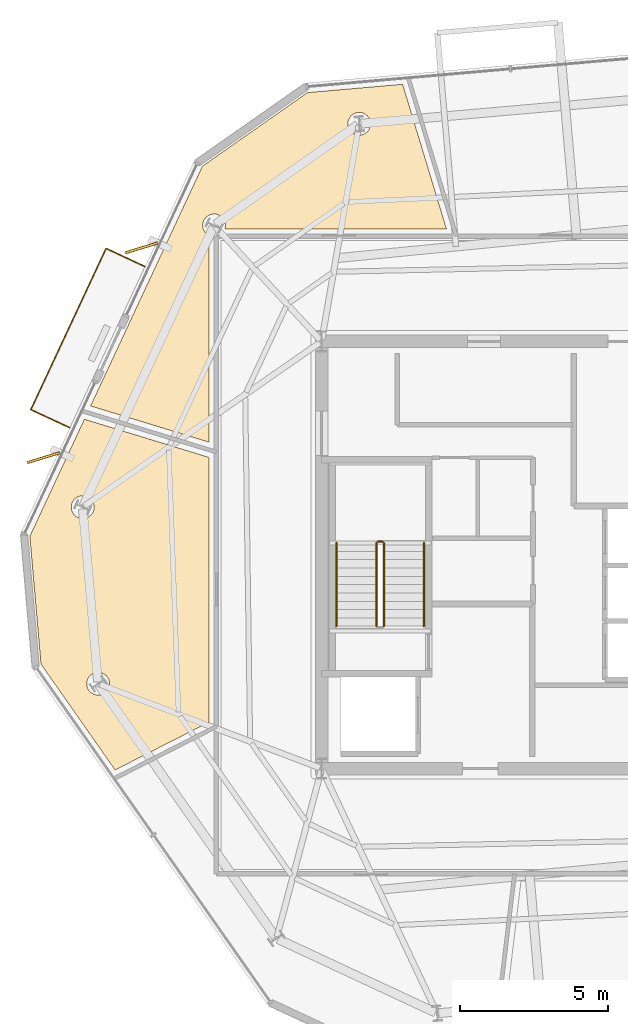
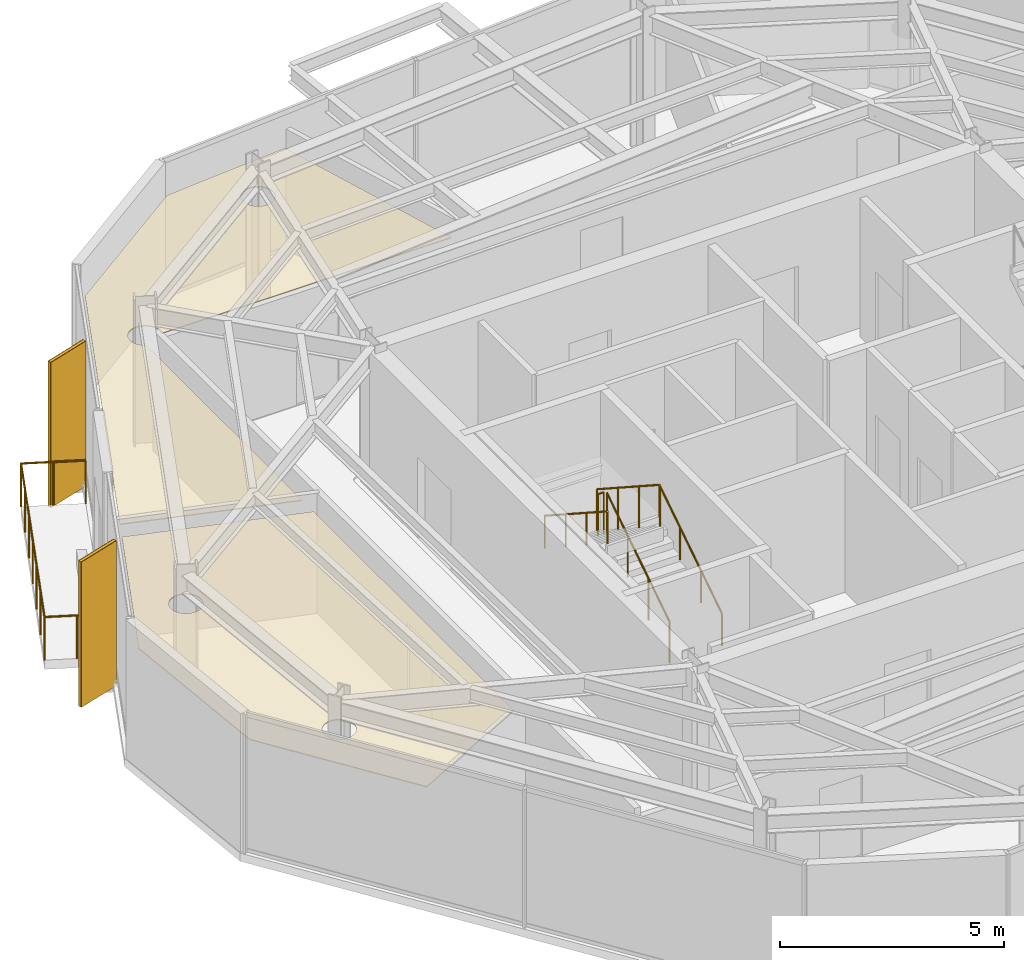
# One storey, part 9 of 11: 6 railings, 4 coverings, 2 shading devices.
"""IFC4 building model written with IfcOpenShell, lengths in metres."""

from ifc_helpers import new_model, si_unit, direction, frame, origin, origin_2d, place, context, subcontext, project, spatial, polyline, rectangle, circle, outline, extrude, material, layer, layer_set, type_object, element, save


model = new_model("IFC4")

# Units and contexts
model_context = context("Model", 3, precision=1e-05, world=origin(), true_north=direction((0.0, 1.0)))
body_context = subcontext(model_context, "Body", "Model", "MODEL_VIEW")
ifc_project = project(units=[si_unit("LENGTHUNIT", "METRE"), si_unit("AREAUNIT", "SQUARE_METRE"), si_unit("VOLUMEUNIT", "CUBIC_METRE"), si_unit("PLANEANGLEUNIT", "RADIAN"), si_unit("MASSUNIT", "GRAM", prefix="KILO")], contexts=[model_context])

# Site, building, storey
site_placement = place(None, origin())
site = spatial("IfcSite", under=ifc_project, at=site_placement, CompositionType="ELEMENT")
building_placement = place(site_placement, origin())
building = spatial("IfcBuilding", under=site, at=building_placement, Name="Kranzbogen Civic Tower", CompositionType="ELEMENT")
storey_placement = place(building_placement, frame((0.0, 0.0, 286.199951171875)))
storey = spatial("IfcBuildingStorey", under=building, at=storey_placement, Name="L69", CompositionType="ELEMENT", Elevation=286.199951171875)

# Coverings
ifc_material_1 = material(Name="Pale Anodised Aluminium", Category="aluminium")
ifc_layer_1 = layer(ifc_material_1, 0.02490234375, Name="Pale Anodised Aluminium")
ifc_layer_set_1 = layer_set([ifc_layer_1], Name="Pale Anodised Aluminium")
covering_type_1 = type_object("IfcCoveringType", Name="Anodised Aluminium Vertical Fin Cladding 25 mm", PredefinedType="CLADDING", material=ifc_layer_set_1)
for number, where, z_axis, x_axis, name in (
    (1, (11.1220703125, 35.35009765625, -0.139892578125), (0.0, 0.0, 1.0), (-0.955885343123, -0.293740039496, 0.0), "L69 vertical fin pale-metal cladding F2-1"),
    (2, (7.825927734375, 28.280029296875, -0.139892578125), (0.0, 0.0, 1.0), (-0.955885343123, -0.293740039496, 0.0), "L69 vertical fin pale-metal cladding F2-4"),
):
    element("IfcCovering", number, at=place(storey_placement, frame(where, z_axis=z_axis, x_axis=x_axis)), inside=storey, type_object=covering_type_1, Name=name, PredefinedType="CLADDING", context=body_context, shape_type="SweptSolid", body=[
        extrude(rectangle(XDim=1.14990234375, YDim=0.094970703125, at=origin_2d()), origin(), (0.0, 0.0, 1.0), 3.9599609375),
    ])

# Railings
ifc_material_2 = material(Name="Anodised Bronze Aluminium", Category="aluminium")
railing_type_1 = type_object("IfcRailingType", Name="Cantilevered Balcony Glass and Bronze Balustrade 1200", PredefinedType="BALUSTRADE", material=ifc_material_2)
railing_1_placement = place(storey_placement, frame((11.24609375, 34.72412109375, 0.0)))
element("IfcRailing", 3, at=railing_1_placement, inside=storey, type_object=railing_type_1, Name="L69 exterior terrace balustrade L69-TB2", PredefinedType="BALUSTRADE", context=body_context, shape_type="SweptSolid", body=[
    extrude(circle(Radius=0.02392578125, at=origin_2d()), frame((0.0, 0.0, 1.17578125), z_axis=(-0.906316436236, 0.422599712977, 0.0), x_axis=(-0.422599712977, -0.906316436236, 0.0)), (0.0, 0.0, 1.0), 1.449951171875),
    extrude(circle(Radius=0.02392578125, at=origin_2d()), frame((-1.314208984375, 0.61279296875, 1.17578125), z_axis=(-0.422633743245, -0.906300567732, 0.0), x_axis=(0.906300567732, -0.422633743245, 0.0)), (0.0, 0.0, 1.0), 6.000244140625),
    extrude(circle(Radius=0.02392578125, at=origin_2d()), frame((-3.85009765625, -4.8251953125, 1.17578125), z_axis=(0.906221851337, -0.422802502547, 0.0), x_axis=(0.422802502547, 0.906221851337, 0.0)), (0.0, 0.0, 1.0), 1.449951171875),
    extrude(circle(Radius=0.02099609375, at=origin_2d()), origin(), (0.0, 0.0, 1.0), 1.15185546875),
    extrude(circle(Radius=0.02099609375, at=origin_2d()), frame((-0.6572265625, 0.306396484375, 0.0)), (0.0, 0.0, 1.0), 1.15185546875),
    extrude(circle(Radius=0.02099609375, at=origin_2d()), frame((-1.314208984375, 0.61279296875, 0.0)), (0.0, 0.0, 1.0), 1.15185546875),
    extrude(circle(Radius=0.02099609375, at=origin_2d()), frame((-1.73681640625, -0.29345703125, 0.0)), (0.0, 0.0, 1.0), 1.15185546875),
    extrude(circle(Radius=0.02099609375, at=origin_2d()), frame((-2.159423828125, -1.199951171875, 0.0)), (0.0, 0.0, 1.0), 1.15185546875),
    extrude(circle(Radius=0.02099609375, at=origin_2d()), frame((-2.58203125, -2.106201171875, 0.0)), (0.0, 0.0, 1.0), 1.15185546875),
    extrude(circle(Radius=0.02099609375, at=origin_2d()), frame((-3.0048828125, -3.012451171875, 0.0)), (0.0, 0.0, 1.0), 1.15185546875),
    extrude(circle(Radius=0.02099609375, at=origin_2d()), frame((-3.427490234375, -3.9189453125, 0.0)), (0.0, 0.0, 1.0), 1.15185546875),
    extrude(circle(Radius=0.02099609375, at=origin_2d()), frame((-3.85009765625, -4.8251953125, 0.0)), (0.0, 0.0, 1.0), 1.15185546875),
    extrude(circle(Radius=0.02099609375, at=origin_2d()), frame((-3.193115234375, -5.1318359375, 0.0)), (0.0, 0.0, 1.0), 1.15185546875),
    extrude(circle(Radius=0.02099609375, at=origin_2d()), frame((-2.5361328125, -5.438232421875, 0.0)), (0.0, 0.0, 1.0), 1.15185546875),
])
ifc_material_3 = material(Name="Steel S355", Category="steel")
railing_type_2 = type_object("IfcRailingType", Name="Internal Stair and Void Steel Guardrail 1150", PredefinedType="GUARDRAIL", material=ifc_material_3)
railing_2_placement = place(storey_placement, frame((19.300048828125, 22.60009765625, 0.181884765625)))
element("IfcRailing", 4, at=railing_2_placement, inside=storey, type_object=railing_type_2, Name="L69 ST-T1 stair guard 1", PredefinedType="GUARDRAIL", context=body_context, shape_type="SweptSolid", body=[
    extrude(circle(Radius=0.02392578125, at=origin_2d()), frame((0.0, 0.0, 1.1259765625), z_axis=(0.0, 0.83868413941, 0.544618136222), x_axis=(-1.0, 0.0, 0.0)), (0.0, 0.0, 1.0), 3.33837890625),
    extrude(circle(Radius=0.02099609375, at=origin_2d()), origin(), (0.0, 0.0, 1.0), 1.101806640625),
    extrude(circle(Radius=0.02099609375, at=origin_2d()), frame((0.0, 0.933349609375, 0.60595703125)), (0.0, 0.0, 1.0), 1.101806640625),
    extrude(circle(Radius=0.02099609375, at=origin_2d()), frame((0.0, 1.866455078125, 1.212158203125)), (0.0, 0.0, 1.0), 1.101806640625),
    extrude(circle(Radius=0.02099609375, at=origin_2d()), frame((0.0, 2.7998046875, 1.818115234375)), (0.0, 0.0, 1.0), 1.101806640625),
])
railing_3_placement = place(storey_placement, frame((19.25, 25.449951171875, 2.0)))
element("IfcRailing", 5, at=railing_3_placement, inside=storey, type_object=railing_type_2, Name="L69 ST-T1 stair guard 2", PredefinedType="GUARDRAIL", context=body_context, shape_type="SweptSolid", body=[
    extrude(circle(Radius=0.02392578125, at=origin_2d()), frame((0.0, 0.0, 1.1259765625), z_axis=(-1.0, 0.0, 0.0), x_axis=(0.0, -1.0, 0.0)), (0.0, 0.0, 1.0), 0.14990234375),
    extrude(circle(Radius=0.02099609375, at=origin_2d()), origin(), (0.0, 0.0, 1.0), 1.101806640625),
    extrude(circle(Radius=0.02099609375, at=origin_2d()), frame((-0.14990234375, 0.0, 0.0)), (0.0, 0.0, 1.0), 1.101806640625),
])
railing_4_placement = place(storey_placement, frame((19.050048828125, 25.39990234375, 2.181884765625)))
element("IfcRailing", 6, at=railing_4_placement, inside=storey, type_object=railing_type_2, Name="L69 ST-T1 stair guard 3", PredefinedType="GUARDRAIL", context=body_context, shape_type="SweptSolid", body=[
    extrude(circle(Radius=0.02392578125, at=origin_2d()), frame((0.0, 0.0, 1.1259765625), z_axis=(0.0, -0.83868413941, 0.544618136222), x_axis=(1.0, 0.0, 0.0)), (0.0, 0.0, 1.0), 3.33837890625),
    extrude(circle(Radius=0.02099609375, at=origin_2d()), origin(), (0.0, 0.0, 1.0), 1.101806640625),
    extrude(circle(Radius=0.02099609375, at=origin_2d()), frame((0.0, -0.933349609375, 0.60595703125)), (0.0, 0.0, 1.0), 1.101806640625),
    extrude(circle(Radius=0.02099609375, at=origin_2d()), frame((0.0, -1.866455078125, 1.212158203125)), (0.0, 0.0, 1.0), 1.101806640625),
    extrude(circle(Radius=0.02099609375, at=origin_2d()), frame((0.0, -2.7998046875, 1.818115234375)), (0.0, 0.0, 1.0), 1.101806640625),
])

# Shading devices
shading_device_type = type_object("IfcShadingDeviceType", Name="Pale Anodised Aluminium Crown Fin 1150x75", PredefinedType="USERDEFINED", material=ifc_material_1)
for number, where, z_axis, x_axis, name in (
    (7, (11.1220703125, 35.35009765625, -0.139892578125), (0.0, 0.0, 1.0), (-0.955885343123, -0.293740039496, 0.0), "L69 vertical exterior shading fin F2-1"),
    (8, (7.825927734375, 28.280029296875, -0.139892578125), (0.0, 0.0, 1.0), (-0.955885343123, -0.293740039496, 0.0), "L69 vertical exterior shading fin F2-4"),
):
    element("IfcShadingDevice", number, at=place(storey_placement, frame(where, z_axis=z_axis, x_axis=x_axis)), inside=storey, type_object=shading_device_type, Name=name, ObjectType="FIN", PredefinedType="USERDEFINED", context=body_context, shape_type="SweptSolid", body=[
        extrude(rectangle(XDim=1.14990234375, YDim=0.074951171875, at=origin_2d()), origin(), (0.0, 0.0, 1.0), 3.9599609375),
    ])

# Coverings
ifc_material_4 = material(Name="Perforated Acoustic Gypsum Ceiling")
ifc_layer_2 = layer(ifc_material_4, 0.02490234375, Name="Perforated Acoustic Gypsum Ceiling")
ifc_layer_set_2 = layer_set([ifc_layer_2], Name="Perforated Acoustic Gypsum Ceiling")
covering_type_2 = type_object("IfcCoveringType", Name="Perforated Acoustic Mineral Ceiling Tile 25 mm", PredefinedType="CEILING", material=ifc_layer_set_2)
covering_1_placement = place(storey_placement, frame((0.0, 0.0, 2.900146484375)))
element("IfcCovering", 9, at=covering_1_placement, inside=storey, type_object=covering_type_2, Name="L69 Citizen Services Kiosk acoustic ceiling", PredefinedType="CEILING", context=body_context, shape_type="SweptSolid", body=[
    extrude(outline(polyline([(7.363037109375, 25.62890625), (9.202880859375, 29.574951171875), (13.405029296875, 28.2900390625), (13.405029296875, 19.365966796875), (10.238037109375, 17.751953125), (7.739990234375, 21.319091796875), (7.363037109375, 25.62890625)]), holes=[polyline([(10.02001953125, 20.513916015625), (10.00390625, 20.47998046875), (9.985107421875, 20.447998046875), (9.9619140625, 20.41796875), (9.93701171875, 20.389892578125), (9.908935546875, 20.364990234375), (9.87890625, 20.342041015625), (9.846923828125, 20.322998046875), (9.81298828125, 20.306884765625), (9.777099609375, 20.2939453125), (9.740966796875, 20.284912109375), (9.7041015625, 20.279052734375), (9.666015625, 20.278076171875), (9.6279296875, 20.279052734375), (9.591064453125, 20.284912109375), (9.554931640625, 20.2939453125), (9.51904296875, 20.306884765625), (9.485107421875, 20.322998046875), (9.452880859375, 20.342041015625), (9.423095703125, 20.364990234375), (9.39501953125, 20.389892578125), (9.3701171875, 20.41796875), (9.346923828125, 20.447998046875), (9.327880859375, 20.47998046875), (9.31201171875, 20.513916015625), (9.299072265625, 20.550048828125), (9.2900390625, 20.5859375), (9.283935546875, 20.623046875), (9.282958984375, 20.660888671875), (9.283935546875, 20.698974609375), (9.2900390625, 20.736083984375), (9.299072265625, 20.77197265625), (9.31201171875, 20.80810546875), (9.327880859375, 20.842041015625), (9.346923828125, 20.8740234375), (9.3701171875, 20.904052734375), (9.39501953125, 20.931884765625), (9.423095703125, 20.95703125), (9.452880859375, 20.97998046875), (9.485107421875, 20.9990234375), (9.51904296875, 21.014892578125), (9.554931640625, 21.028076171875), (9.591064453125, 21.037109375), (9.6279296875, 21.04296875), (9.666015625, 21.0439453125), (9.7041015625, 21.04296875), (9.740966796875, 21.037109375), (9.777099609375, 21.028076171875), (9.81298828125, 21.014892578125), (9.846923828125, 20.9990234375), (9.87890625, 20.97998046875), (9.908935546875, 20.95703125), (9.93701171875, 20.931884765625), (9.9619140625, 20.904052734375), (9.985107421875, 20.8740234375), (10.00390625, 20.842041015625), (10.02001953125, 20.80810546875), (10.032958984375, 20.77197265625), (10.0419921875, 20.736083984375), (10.048095703125, 20.698974609375), (10.049072265625, 20.660888671875), (10.048095703125, 20.623046875), (10.0419921875, 20.5859375), (10.032958984375, 20.550048828125), (10.02001953125, 20.513916015625)]), polyline([(9.4990234375, 26.462890625), (9.48291015625, 26.428955078125), (9.464111328125, 26.39697265625), (9.44091796875, 26.366943359375), (9.416015625, 26.339111328125), (9.387939453125, 26.31396484375), (9.35791015625, 26.291015625), (9.325927734375, 26.27197265625), (9.2919921875, 26.256103515625), (9.256103515625, 26.242919921875), (9.219970703125, 26.23388671875), (9.18310546875, 26.22802734375), (9.14501953125, 26.22705078125), (9.10693359375, 26.22802734375), (9.070068359375, 26.23388671875), (9.033935546875, 26.242919921875), (8.998046875, 26.256103515625), (8.964111328125, 26.27197265625), (8.931884765625, 26.291015625), (8.902099609375, 26.31396484375), (8.8740234375, 26.339111328125), (8.84912109375, 26.366943359375), (8.825927734375, 26.39697265625), (8.806884765625, 26.428955078125), (8.791015625, 26.462890625), (8.778076171875, 26.4990234375), (8.76904296875, 26.534912109375), (8.762939453125, 26.572021484375), (8.761962890625, 26.610107421875), (8.762939453125, 26.64794921875), (8.76904296875, 26.68505859375), (8.778076171875, 26.720947265625), (8.791015625, 26.757080078125), (8.806884765625, 26.791015625), (8.825927734375, 26.822998046875), (8.84912109375, 26.85302734375), (8.8740234375, 26.881103515625), (8.902099609375, 26.906005859375), (8.931884765625, 26.928955078125), (8.964111328125, 26.947998046875), (8.998046875, 26.964111328125), (9.033935546875, 26.97705078125), (9.070068359375, 26.986083984375), (9.10693359375, 26.991943359375), (9.14501953125, 26.992919921875), (9.18310546875, 26.991943359375), (9.219970703125, 26.986083984375), (9.256103515625, 26.97705078125), (9.2919921875, 26.964111328125), (9.325927734375, 26.947998046875), (9.35791015625, 26.928955078125), (9.387939453125, 26.906005859375), (9.416015625, 26.881103515625), (9.44091796875, 26.85302734375), (9.464111328125, 26.822998046875), (9.48291015625, 26.791015625), (9.4990234375, 26.757080078125), (9.511962890625, 26.720947265625), (9.52099609375, 26.68505859375), (9.527099609375, 26.64794921875), (9.528076171875, 26.610107421875), (9.527099609375, 26.572021484375), (9.52099609375, 26.534912109375), (9.511962890625, 26.4990234375), (9.4990234375, 26.462890625)])]), origin(), (0.0, 0.0, 1.0), 0.02490234375),
])
covering_2_placement = place(storey_placement, frame((0.0, 0.0, 2.900146484375)))
element("IfcCovering", 10, at=covering_2_placement, inside=storey, type_object=covering_type_2, Name="L69 Executive Briefing Conference Room acoustic ceiling", PredefinedType="CEILING", context=body_context, shape_type="SweptSolid", body=[
    extrude(outline(polyline([(16.72509765625, 40.587890625), (19.929931640625, 40.867919921875), (21.407958984375, 35.9951171875), (13.94091796875, 35.9951171875), (13.94189453125, 35.9990234375), (13.950927734375, 36.034912109375), (13.95703125, 36.072021484375), (13.9580078125, 36.110107421875), (13.95703125, 36.14794921875), (13.950927734375, 36.18505859375), (13.94189453125, 36.220947265625), (13.928955078125, 36.257080078125), (13.9130859375, 36.291015625), (13.89404296875, 36.322998046875), (13.87109375, 36.35302734375), (13.845947265625, 36.381103515625), (13.818115234375, 36.406005859375), (13.7880859375, 36.428955078125), (13.756103515625, 36.447998046875), (13.721923828125, 36.464111328125), (13.68603515625, 36.47705078125), (13.64990234375, 36.486083984375), (13.613037109375, 36.491943359375), (13.574951171875, 36.492919921875), (13.537109375, 36.491943359375), (13.5, 36.486083984375), (13.464111328125, 36.47705078125), (13.427978515625, 36.464111328125), (13.39404296875, 36.447998046875), (13.362060546875, 36.428955078125), (13.33203125, 36.406005859375), (13.303955078125, 36.381103515625), (13.279052734375, 36.35302734375), (13.256103515625, 36.322998046875), (13.237060546875, 36.291015625), (13.220947265625, 36.257080078125), (13.2080078125, 36.220947265625), (13.198974609375, 36.18505859375), (13.193115234375, 36.14794921875), (13.19189453125, 36.110107421875), (13.193115234375, 36.072021484375), (13.198974609375, 36.034912109375), (13.2080078125, 35.9990234375), (13.220947265625, 35.962890625), (13.237060546875, 35.928955078125), (13.256103515625, 35.89697265625), (13.279052734375, 35.866943359375), (13.303955078125, 35.839111328125), (13.33203125, 35.81396484375), (13.362060546875, 35.791015625), (13.39404296875, 35.77197265625), (13.406005859375, 35.76611328125), (13.406005859375, 35.764892578125), (13.405029296875, 35.759033203125), (13.405029296875, 35.75), (13.405029296875, 28.802001953125), (9.412109375, 30.02294921875), (13.181884765625, 38.10693359375), (16.72509765625, 40.587890625)]), holes=[polyline([(18.821044921875, 39.388916015625), (18.804931640625, 39.35498046875), (18.785888671875, 39.322998046875), (18.762939453125, 39.29296875), (18.738037109375, 39.264892578125), (18.7099609375, 39.239990234375), (18.679931640625, 39.217041015625), (18.64794921875, 39.197998046875), (18.614013671875, 39.181884765625), (18.577880859375, 39.1689453125), (18.5419921875, 39.159912109375), (18.5048828125, 39.154052734375), (18.467041015625, 39.153076171875), (18.428955078125, 39.154052734375), (18.39208984375, 39.159912109375), (18.35595703125, 39.1689453125), (18.320068359375, 39.181884765625), (18.285888671875, 39.197998046875), (18.25390625, 39.217041015625), (18.22412109375, 39.239990234375), (18.196044921875, 39.264892578125), (18.1708984375, 39.29296875), (18.14794921875, 39.322998046875), (18.12890625, 39.35498046875), (18.113037109375, 39.388916015625), (18.10009765625, 39.425048828125), (18.091064453125, 39.4609375), (18.0849609375, 39.498046875), (18.083984375, 39.535888671875), (18.0849609375, 39.573974609375), (18.091064453125, 39.611083984375), (18.10009765625, 39.64697265625), (18.113037109375, 39.68310546875), (18.12890625, 39.717041015625), (18.14794921875, 39.7490234375), (18.1708984375, 39.779052734375), (18.196044921875, 39.806884765625), (18.22412109375, 39.83203125), (18.25390625, 39.85498046875), (18.285888671875, 39.8740234375), (18.320068359375, 39.889892578125), (18.35595703125, 39.903076171875), (18.39208984375, 39.912109375), (18.428955078125, 39.91796875), (18.467041015625, 39.9189453125), (18.5048828125, 39.91796875), (18.5419921875, 39.912109375), (18.577880859375, 39.903076171875), (18.614013671875, 39.889892578125), (18.64794921875, 39.8740234375), (18.679931640625, 39.85498046875), (18.7099609375, 39.83203125), (18.738037109375, 39.806884765625), (18.762939453125, 39.779052734375), (18.785888671875, 39.7490234375), (18.804931640625, 39.717041015625), (18.821044921875, 39.68310546875), (18.833984375, 39.64697265625), (18.843017578125, 39.611083984375), (18.84912109375, 39.573974609375), (18.85009765625, 39.535888671875), (18.84912109375, 39.498046875), (18.843017578125, 39.4609375), (18.833984375, 39.425048828125), (18.821044921875, 39.388916015625)])]), origin(), (0.0, 0.0, 1.0), 0.02490234375),
])

# Railings
railing_type_3 = type_object("IfcRailingType", Name="Tubular Stainless Stair Wall Handrail 900", PredefinedType="HANDRAIL", material=ifc_material_1)
railing_5_placement = place(storey_placement, frame((20.64990234375, 22.60009765625, 0.181884765625)))
element("IfcRailing", 11, at=railing_5_placement, inside=storey, type_object=railing_type_3, Name="L69 ST-T1 stair handrail 1", PredefinedType="HANDRAIL", context=body_context, shape_type="SweptSolid", body=[
    extrude(circle(Radius=0.02392578125, at=origin_2d()), frame((0.0, 0.0, 0.8759765625), z_axis=(0.0, 0.83868413941, 0.544618136222), x_axis=(-1.0, 0.0, 0.0)), (0.0, 0.0, 1.0), 3.33837890625),
    extrude(circle(Radius=0.02099609375, at=origin_2d()), origin(), (0.0, 0.0, 1.0), 0.851806640625),
    extrude(circle(Radius=0.02099609375, at=origin_2d()), frame((0.0, 0.933349609375, 0.60595703125)), (0.0, 0.0, 1.0), 0.851806640625),
    extrude(circle(Radius=0.02099609375, at=origin_2d()), frame((0.0, 1.866455078125, 1.212158203125)), (0.0, 0.0, 1.0), 0.851806640625),
    extrude(circle(Radius=0.02099609375, at=origin_2d()), frame((0.0, 2.7998046875, 1.818115234375)), (0.0, 0.0, 1.0), 0.851806640625),
])
railing_6_placement = place(storey_placement, frame((17.699951171875, 25.39990234375, 2.181884765625)))
element("IfcRailing", 12, at=railing_6_placement, inside=storey, type_object=railing_type_3, Name="L69 ST-T1 stair handrail 2", PredefinedType="HANDRAIL", context=body_context, shape_type="SweptSolid", body=[
    extrude(circle(Radius=0.02392578125, at=origin_2d()), frame((0.0, 0.0, 0.8759765625), z_axis=(0.0, -0.83868413941, 0.544618136222), x_axis=(1.0, 0.0, 0.0)), (0.0, 0.0, 1.0), 3.33837890625),
    extrude(circle(Radius=0.02099609375, at=origin_2d()), origin(), (0.0, 0.0, 1.0), 0.851806640625),
    extrude(circle(Radius=0.02099609375, at=origin_2d()), frame((0.0, -0.933349609375, 0.60595703125)), (0.0, 0.0, 1.0), 0.851806640625),
    extrude(circle(Radius=0.02099609375, at=origin_2d()), frame((0.0, -1.866455078125, 1.212158203125)), (0.0, 0.0, 1.0), 0.851806640625),
    extrude(circle(Radius=0.02099609375, at=origin_2d()), frame((0.0, -2.7998046875, 1.818115234375)), (0.0, 0.0, 1.0), 0.851806640625),
])

save(model, "model.ifc")
